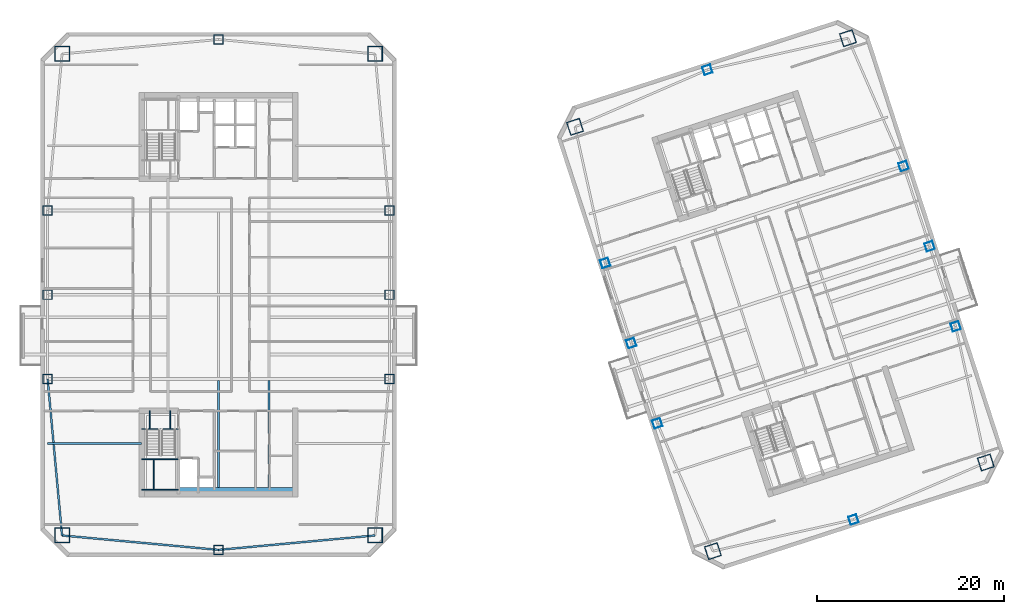
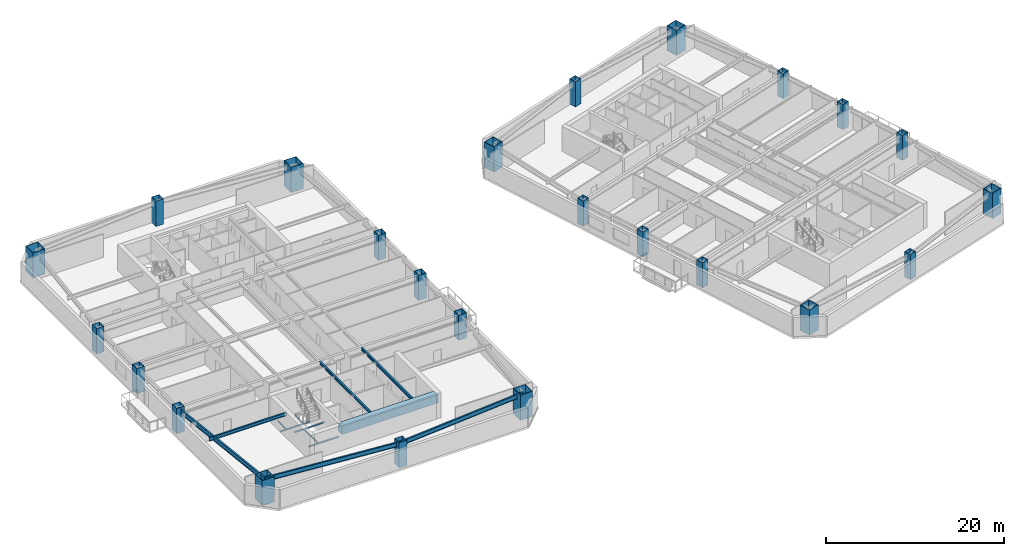
# One storey, part 1 of 14: 24 columns, 13 beams.
"""IFC4 building model written with IfcOpenShell, lengths in metres."""

from ifc_helpers import new_model, si_unit, direction, frame, origin, origin_2d, place, context, subcontext, project, spatial, rectangle, hollow_rectangle, i_section, extrude, material, material_profile, profile_set, type_object, element, save


model = new_model("IFC4")

# Units and contexts
model_context = context("Model", 3, precision=1e-05, world=origin(), true_north=direction((0.0, 1.0)))
body_context = subcontext(model_context, "Body", "Model", "MODEL_VIEW")
ifc_project = project(units=[si_unit("LENGTHUNIT", "METRE"), si_unit("AREAUNIT", "SQUARE_METRE"), si_unit("VOLUMEUNIT", "CUBIC_METRE"), si_unit("PLANEANGLEUNIT", "RADIAN"), si_unit("MASSUNIT", "GRAM", prefix="KILO")], contexts=[model_context])

# Site, building, storey
site_placement = place(None, origin())
site = spatial("IfcSite", under=ifc_project, at=site_placement, CompositionType="ELEMENT")
building_placement = place(site_placement, origin())
building = spatial("IfcBuilding", under=site, at=building_placement, Name="Qiaolan Cultural Towers", CompositionType="ELEMENT")
storey_placement = place(building_placement, frame((0.0, 0.0, 103.5)))
storey = spatial("IfcBuildingStorey", under=building, at=storey_placement, Name="L26", CompositionType="ELEMENT", Elevation=103.5)

# Columns
ifc_material_1 = material(Name="Steel Q355B", Category="steel")
ifc_material_profile_1 = material_profile(ifc_material_1, hollow_rectangle(XDim=1.0, YDim=1.0, WallThickness=0.035888671875, at=origin_2d()), Name="BOX1000x1000x36")
ifc_profile_set_1 = profile_set([ifc_material_profile_1], Name="Steel Q355B")
column_type_1 = type_object("IfcColumnType", Name="COL-BOX1000x1000x36", PredefinedType="COLUMN", material=ifc_profile_set_1)
for number, where, z_axis, x_axis, name in (
    (1, (11.75, 25.0, 0.0), (0.0, 0.0, 1.0), (1.0, 0.0, 0.0), "L26 T1 Perimeter Column PC-W1"),
    (2, (11.75, 34.0, 0.0), (0.0, 0.0, 1.0), (1.0, 0.0, 0.0), "L26 T1 Perimeter Column PC-W2"),
    (3, (11.75, 43.0, 0.0), (0.0, 0.0, 1.0), (1.0, 0.0, 0.0), "L26 T1 Perimeter Column PC-W3"),
    (4, (48.25, 25.0, 0.0), (0.0, 0.0, 1.0), (1.0, 0.0, 0.0), "L26 T1 Perimeter Column PC-E1"),
    (5, (48.25, 34.0, 0.0), (0.0, 0.0, 1.0), (1.0, 0.0, 0.0), "L26 T1 Perimeter Column PC-E2"),
    (6, (48.25, 43.0, 0.0), (0.0, 0.0, 1.0), (1.0, 0.0, 0.0), "L26 T1 Perimeter Column PC-E3"),
    (7, (30.0, 6.75, 0.0), (0.0, 0.0, 1.0), (1.0, 0.0, 0.0), "L26 T1 Perimeter Column PC-S0"),
    (8, (30.0, 61.25, 0.0), (0.0, 0.0, 1.0), (1.0, 0.0, 0.0), "L26 T1 Perimeter Column PC-N0"),
):
    element("IfcColumn", number, at=place(storey_placement, frame(where, z_axis=z_axis, x_axis=x_axis)), inside=storey, type_object=column_type_1, Name=name, PredefinedType="COLUMN", context=body_context, shape_type="SweptSolid", body=[
        extrude(hollow_rectangle(XDim=1.0, YDim=1.0, WallThickness=0.035888671875, at=origin_2d()), origin(), (0.0, 0.0, 1.0), 3.450927734375),
    ])
ifc_material_2 = material(Name="Steel Q420GJB", Category="steel")
ifc_material_profile_2 = material_profile(ifc_material_2, hollow_rectangle(XDim=1.449951171875, YDim=1.449951171875, WallThickness=0.050048828125, at=origin_2d()), Name="BOX1450x1450x50")
ifc_profile_set_2 = profile_set([ifc_material_profile_2], Name="Steel Q420GJB")
column_type_2 = type_object("IfcColumnType", Name="COL-BOX1450x1450x50", PredefinedType="COLUMN", material=ifc_profile_set_2)
for number, where, z_axis, x_axis, name in (
    (9, (82.79052734375, 6.611572265625, 0.0), (0.0, 0.0, 1.0), (0.951056516295, 0.309016994375, 0.0), "L26 T2 Perimeter Column MC-SW"),
    (10, (111.930908203125, 16.080078125, 0.0), (0.0, 0.0, 1.0), (0.951056516295, 0.309016994375, 0.0), "L26 T2 Perimeter Column MC-SE"),
    (11, (97.20947265625, 61.388427734375, 0.0), (0.0, 0.0, 1.0), (0.951056516295, 0.309016994375, 0.0), "L26 T2 Perimeter Column MC-NE"),
    (12, (68.069091796875, 51.919921875, 0.0), (0.0, 0.0, 1.0), (0.951056516295, 0.309016994375, 0.0), "L26 T2 Perimeter Column MC-NW"),
):
    element("IfcColumn", number, at=place(storey_placement, frame(where, z_axis=z_axis, x_axis=x_axis)), inside=storey, type_object=column_type_2, Name=name, PredefinedType="COLUMN", context=body_context, shape_type="SweptSolid", body=[
        extrude(hollow_rectangle(XDim=1.449951171875, YDim=1.449951171875, WallThickness=0.050048828125, at=origin_2d()), origin(), (0.0, 0.0, 1.0), 3.450927734375),
    ])
ifc_material_3 = material(Name="Steel Q420GJB", Category="steel")
ifc_material_profile_3 = material_profile(ifc_material_3, hollow_rectangle(XDim=1.60009765625, YDim=1.60009765625, WallThickness=0.054931640625, at=origin_2d()), Name="BOX1600x1600x55")
ifc_profile_set_3 = profile_set([ifc_material_profile_3], Name="Steel Q420GJB")
column_type_3 = type_object("IfcColumnType", Name="COL-BOX1600x1600x55", PredefinedType="COLUMN", material=ifc_profile_set_3)
for number, where, z_axis, x_axis, name in (
    (13, (13.2900390625, 8.2900390625, 0.0), (0.0, 0.0, 1.0), (1.0, 0.0, 0.0), "L26 T1 Perimeter Column MC-SW"),
    (14, (46.7099609375, 8.2900390625, 0.0), (0.0, 0.0, 1.0), (1.0, 0.0, 0.0), "L26 T1 Perimeter Column MC-SE"),
    (15, (46.7099609375, 59.7099609375, 0.0), (0.0, 0.0, 1.0), (1.0, 0.0, 0.0), "L26 T1 Perimeter Column MC-NE"),
    (16, (13.2900390625, 59.7099609375, 0.0), (0.0, 0.0, 1.0), (1.0, 0.0, 0.0), "L26 T1 Perimeter Column MC-NW"),
):
    element("IfcColumn", number, at=place(storey_placement, frame(where, z_axis=z_axis, x_axis=x_axis)), inside=storey, type_object=column_type_3, Name=name, PredefinedType="COLUMN", context=body_context, shape_type="SweptSolid", body=[
        extrude(hollow_rectangle(XDim=1.60009765625, YDim=1.60009765625, WallThickness=0.054931640625, at=origin_2d()), origin(), (0.0, 0.0, 1.0), 3.450927734375),
    ])
ifc_material_4 = material(Name="Steel Q355B", Category="steel")
ifc_material_profile_4 = material_profile(ifc_material_4, hollow_rectangle(XDim=0.89990234375, YDim=0.89990234375, WallThickness=0.031982421875, at=origin_2d()), Name="BOX900x900x32")
ifc_profile_set_4 = profile_set([ifc_material_profile_4], Name="Steel Q355B")
column_type_4 = type_object("IfcColumnType", Name="COL-BOX900x900x32", PredefinedType="COLUMN", material=ifc_profile_set_4)
for number, where, z_axis, x_axis, name in (
    (17, (76.85107421875, 20.264404296875, 0.0), (0.0, 0.0, 1.0), (0.951056516295, 0.309016994375, 0.0), "L26 T2 Perimeter Column PC-W1"),
    (18, (74.06982421875, 28.823974609375, 0.0), (0.0, 0.0, 1.0), (0.951056516295, 0.309016994375, 0.0), "L26 T2 Perimeter Column PC-W2"),
    (19, (71.28857421875, 37.383544921875, 0.0), (0.0, 0.0, 1.0), (0.951056516295, 0.309016994375, 0.0), "L26 T2 Perimeter Column PC-W3"),
    (20, (108.71142578125, 30.616455078125, 0.0), (0.0, 0.0, 1.0), (0.951056516295, 0.309016994375, 0.0), "L26 T2 Perimeter Column PC-E1"),
    (21, (105.93017578125, 39.176025390625, 0.0), (0.0, 0.0, 1.0), (0.951056516295, 0.309016994375, 0.0), "L26 T2 Perimeter Column PC-E2"),
    (22, (103.14892578125, 47.735595703125, 0.0), (0.0, 0.0, 1.0), (0.951056516295, 0.309016994375, 0.0), "L26 T2 Perimeter Column PC-E3"),
    (23, (97.802734375, 9.98583984375, 0.0), (0.0, 0.0, 1.0), (0.951056516295, 0.309016994375, 0.0), "L26 T2 Perimeter Column PC-S0"),
    (24, (82.197265625, 58.01416015625, 0.0), (0.0, 0.0, 1.0), (0.951056516295, 0.309016994375, 0.0), "L26 T2 Perimeter Column PC-N0"),
):
    element("IfcColumn", number, at=place(storey_placement, frame(where, z_axis=z_axis, x_axis=x_axis)), inside=storey, type_object=column_type_4, Name=name, PredefinedType="COLUMN", context=body_context, shape_type="SweptSolid", body=[
        extrude(hollow_rectangle(XDim=0.89990234375, YDim=0.89990234375, WallThickness=0.031982421875, at=origin_2d()), origin(), (0.0, 0.0, 1.0), 3.450927734375),
    ])

# Beams
ifc_material_5 = material(Name="Steel Q355B", Category="steel")
ifc_material_profile_5 = material_profile(ifc_material_5, i_section(OverallWidth=0.199951171875, OverallDepth=0.39990234375, WebThickness=0.008056640625, FlangeThickness=0.012939453125, at=origin_2d()), Name="HN400x200x8x13")
ifc_profile_set_5 = profile_set([ifc_material_profile_5], Name="Steel Q355B")
beam_type_1 = type_object("IfcBeamType", Name="BM-JST-HN400x200x8x13", PredefinedType="JOIST", material=ifc_profile_set_5)
for number, where, z_axis, x_axis, name in (
    (25, (30.0, 13.39990234375, 2.989990234375), (0.0, 1.0, 0.0), (-1.0, 0.0, 0.0), "L26 T1 Secondary Floor Joist U2-1"),
    (26, (35.39990234375, 13.39990234375, 2.989990234375), (0.0, 1.0, 0.0), (-1.0, 0.0, 0.0), "L26 T1 Secondary Floor Joist U3-1"),
):
    element("IfcBeam", number, at=place(storey_placement, frame(where, z_axis=z_axis, x_axis=x_axis)), inside=storey, type_object=beam_type_1, Name=name, PredefinedType="JOIST", context=body_context, shape_type="SweptSolid", body=[
        extrude(i_section(OverallWidth=0.199951171875, OverallDepth=0.39990234375, WebThickness=0.008056640625, FlangeThickness=0.012939453125, at=origin_2d()), origin(), (0.0, 0.0, 1.0), 11.4501953125),
    ])
ifc_material_6 = material(Name="Steel Q355B", Category="steel")
ifc_material_profile_6 = material_profile(ifc_material_6, i_section(OverallWidth=0.199951171875, OverallDepth=0.449951171875, WebThickness=0.009033203125, FlangeThickness=0.013916015625, at=origin_2d()), Name="HN450x200x9x14")
ifc_profile_set_6 = profile_set([ifc_material_profile_6], Name="Steel Q355B")
beam_type_2 = type_object("IfcBeamType", Name="BM-LNT-HN450x200x9x14", PredefinedType="LINTEL", material=ifc_profile_set_6)
beam_1_placement = place(storey_placement, frame((21.800048828125, 18.10009765625, 2.965087890625), z_axis=(-1.0, 0.0, 0.0), x_axis=(0.0, -1.0, 0.0)))
element("IfcBeam", 27, at=beam_1_placement, inside=storey, type_object=beam_type_2, Name="L26 T1 Core Flank Tie Lintel WS", PredefinedType="LINTEL", context=body_context, shape_type="SweptSolid", body=[
    extrude(i_section(OverallWidth=0.199951171875, OverallDepth=0.449951171875, WebThickness=0.009033203125, FlangeThickness=0.013916015625, at=origin_2d()), origin(), (0.0, 0.0, 1.0), 10.050048828125),
])
ifc_material_7 = material(Name="Concrete C50", Category="concrete")
ifc_material_profile_7 = material_profile(ifc_material_7, rectangle(XDim=0.89990234375, YDim=1.10009765625, at=origin_2d()), Name="RC900x1100")
ifc_profile_set_7 = profile_set([ifc_material_profile_7], Name="Concrete C50")
beam_type_3 = type_object("IfcBeamType", Name="BM-RC900x1100", PredefinedType="BEAM", material=ifc_profile_set_7)
beam_2_placement = place(storey_placement, frame((25.719970703125, 12.949951171875, 2.639892578125), z_axis=(1.0, 0.0, 0.0), x_axis=(0.0, 1.0, 0.0)))
element("IfcBeam", 28, at=beam_2_placement, inside=storey, type_object=beam_type_3, Name="L26 T1 Core Header Girder S", PredefinedType="BEAM", context=body_context, shape_type="SweptSolid", body=[
    extrude(rectangle(XDim=0.89990234375, YDim=1.10009765625, at=origin_2d()), origin(), (0.0, 0.0, 1.0), 12.47998046875),
])
ifc_material_8 = material(Name="Steel Q355B", Category="steel")
ifc_material_profile_8 = material_profile(ifc_material_8, i_section(OverallWidth=0.199951171875, OverallDepth=0.60009765625, WebThickness=0.010986328125, FlangeThickness=0.01708984375, at=origin_2d()), Name="HN600x200x11x17")
ifc_profile_set_8 = profile_set([ifc_material_profile_8], Name="Steel Q355B")
beam_type_4 = type_object("IfcBeamType", Name="BM-SPD-HN600x200x11x17", PredefinedType="SPANDREL", material=ifc_profile_set_8)
for number, where, z_axis, x_axis, name in (
    (29, (13.2900390625, 8.2900390625, 2.889892578125), (0.995779862064, -0.09177399582, 0.0), (0.09177399582, 0.995779862064, 0.0), "L26 T1 Perimeter Spandrel Beam 1"),
    (30, (30.0, 6.75, 2.889892578125), (0.995779862064, 0.09177399582, 0.0), (-0.09177399582, 0.995779862064, 0.0), "L26 T1 Perimeter Spandrel Beam 2"),
    (31, (11.75, 25.0, 2.889892578125), (0.09177399582, -0.995779862064, 0.0), (0.995779862064, 0.09177399582, 0.0), "L26 T1 Perimeter Spandrel Beam 12"),
):
    element("IfcBeam", number, at=place(storey_placement, frame(where, z_axis=z_axis, x_axis=x_axis)), inside=storey, type_object=beam_type_4, Name=name, PredefinedType="SPANDREL", context=body_context, shape_type="SweptSolid", body=[
        extrude(i_section(OverallWidth=0.199951171875, OverallDepth=0.60009765625, WebThickness=0.010986328125, FlangeThickness=0.01708984375, at=origin_2d()), origin(), (0.0, 0.0, 1.0), 16.78076171875),
    ])
ifc_material_9 = material(Name="Steel Q355B", Category="steel")
ifc_material_profile_9 = material_profile(ifc_material_9, i_section(OverallWidth=0.10009765625, OverallDepth=0.199951171875, WebThickness=0.005615234375, FlangeThickness=0.008056640625, at=origin_2d()), Name="HN200x100x5.5x8")
ifc_profile_set_9 = profile_set([ifc_material_profile_9], Name="Steel Q355B")
beam_type_5 = type_object("IfcBeamType", Name="BM-STTRIM-200", PredefinedType="BEAM", material=ifc_profile_set_9)
beam_3_placement = place(storey_placement, frame((21.800048828125, 19.659912109375, -0.4599609375), z_axis=(1.0, 0.0, 0.0), x_axis=(0.0, 1.0, 0.0)))
element("IfcBeam", 32, at=beam_3_placement, inside=storey, type_object=beam_type_5, Name="L26 ST-W1 Floor Landing Header Beam", PredefinedType="BEAM", context=body_context, shape_type="SweptSolid", body=[
    extrude(i_section(OverallWidth=0.10009765625, OverallDepth=0.199951171875, WebThickness=0.005615234375, FlangeThickness=0.008056640625, at=origin_2d()), origin(), (0.0, 0.0, 1.0), 3.919921875),
])
for number, where, z_axis, x_axis, name in (
    (33, (22.64990234375, 21.60009765625, -0.4599609375), (0.0, -1.0, 0.0), (1.0, 0.0, 0.0), "L26 ST-W1 Floor Landing Stringer 1"),
    (34, (24.85009765625, 21.60009765625, -0.4599609375), (0.0, -1.0, 0.0), (1.0, 0.0, 0.0), "L26 ST-W1 Floor Landing Stringer 2"),
):
    element("IfcBeam", number, at=place(storey_placement, frame(where, z_axis=z_axis, x_axis=x_axis)), inside=storey, type_object=beam_type_5, Name=name, PredefinedType="BEAM", context=body_context, shape_type="SweptSolid", body=[
        extrude(i_section(OverallWidth=0.10009765625, OverallDepth=0.199951171875, WebThickness=0.005615234375, FlangeThickness=0.008056640625, at=origin_2d()), origin(), (0.0, 0.0, 1.0), 1.940185546875),
    ])
for number, where, z_axis, x_axis, name in (
    (35, (21.800048828125, 16.411376953125, 1.425048828125), (1.0, 0.0, 0.0), (0.0, 1.0, 0.0), "L26 ST-W1 Stair Landing Support Beam 1-1"),
    (36, (21.800048828125, 13.179931640625, 1.425048828125), (1.0, 0.0, 0.0), (0.0, 1.0, 0.0), "L26 ST-W1 Stair Landing Support Beam 1-2"),
):
    element("IfcBeam", number, at=place(storey_placement, frame(where, z_axis=z_axis, x_axis=x_axis)), inside=storey, type_object=beam_type_5, Name=name, PredefinedType="BEAM", context=body_context, shape_type="SweptSolid", body=[
        extrude(i_section(OverallWidth=0.10009765625, OverallDepth=0.199951171875, WebThickness=0.005615234375, FlangeThickness=0.008056640625, at=origin_2d()), origin(), (0.0, 0.0, 1.0), 3.919921875),
    ])
beam_4_placement = place(storey_placement, frame((23.070068359375, 16.411376953125, 1.425048828125), z_axis=(0.0, -1.0, 0.0), x_axis=(1.0, 0.0, 0.0)))
element("IfcBeam", 37, at=beam_4_placement, inside=storey, type_object=beam_type_5, Name="L26 ST-W1 Stair Landing Trimmer 1", PredefinedType="BEAM", context=body_context, shape_type="SweptSolid", body=[
    extrude(i_section(OverallWidth=0.10009765625, OverallDepth=0.199951171875, WebThickness=0.005615234375, FlangeThickness=0.008056640625, at=origin_2d()), origin(), (0.0, 0.0, 1.0), 3.2314453125),
])

save(model, "model.ifc")
